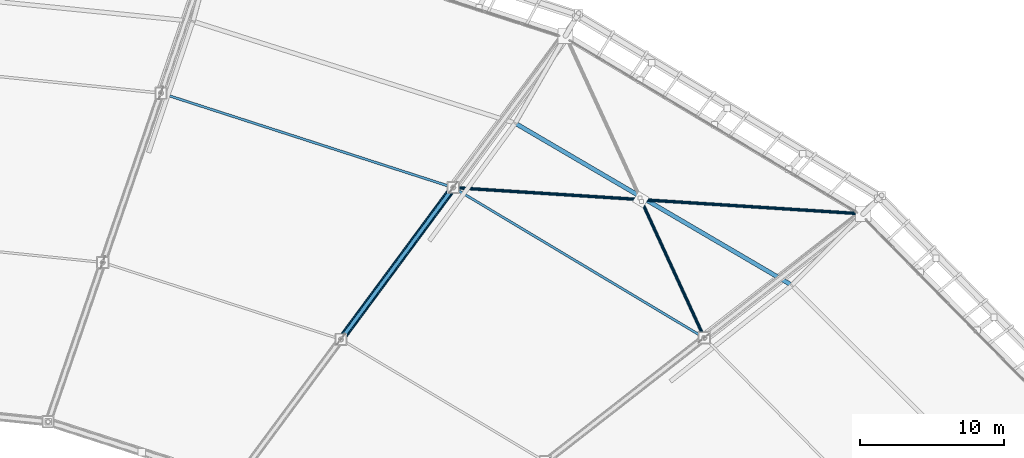
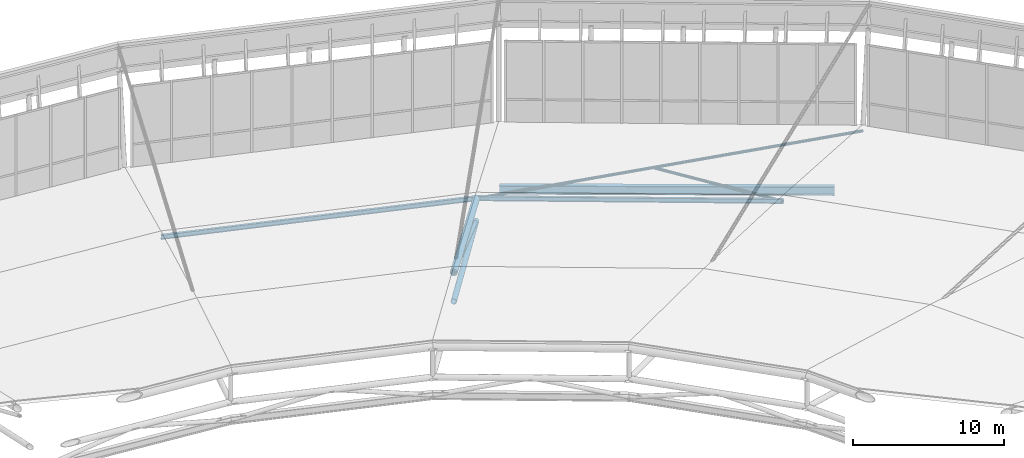
# One storey, part 74 of 115: 7 members, 1 beam.
"""IFC4 building model written with IfcOpenShell, lengths in metres."""

from ifc_helpers import new_model, si_unit, direction, frame, origin, origin_2d, place, context, subcontext, project, spatial, hollow_circle, i_section, extrude, material, material_profile, profile_set, type_object, element, save


model = new_model("IFC4")

# Units and contexts
model_context = context("Model", 3, precision=1e-05, world=origin(), true_north=direction((0.0, 1.0)))
body_context = subcontext(model_context, "Body", "Model", "MODEL_VIEW")
ifc_project = project(units=[si_unit("LENGTHUNIT", "METRE"), si_unit("AREAUNIT", "SQUARE_METRE"), si_unit("VOLUMEUNIT", "CUBIC_METRE"), si_unit("PLANEANGLEUNIT", "RADIAN"), si_unit("MASSUNIT", "GRAM", prefix="KILO")], contexts=[model_context])

# Site, building, storey
site_placement = place(None, origin())
site = spatial("IfcSite", under=ifc_project, at=site_placement, CompositionType="ELEMENT")
building_placement = place(site_placement, origin())
building = spatial("IfcBuilding", under=site, at=building_placement, Name="Zlatoyarsky Gate Stadium", CompositionType="ELEMENT")
storey_placement = place(building_placement, frame((0.0, 0.0, 31.800048828125)))
storey = spatial("IfcBuildingStorey", under=building, at=storey_placement, Name="RF", CompositionType="ELEMENT", Elevation=31.800048828125)

# Members
ifc_material = material(Name="Steel S355", Category="steel")
ifc_material_profile_1 = material_profile(ifc_material, hollow_circle(Radius=0.203125, WallThickness=0.02001953125, at=origin_2d()), Name="CHS 406.4X20")
ifc_profile_set_1 = profile_set([ifc_material_profile_1], Name="Steel S355")
member_type_1 = type_object("IfcMemberType", Name="STEEL ARCH INNER CHORD CHS 406.4X20", PredefinedType="CHORD", material=ifc_profile_set_1)
member_1_placement = place(storey_placement, frame((153.191650390625, 137.00537109375, 1.349853515625), z_axis=(-0.583615114034, -0.788517936062, 0.193991915245), x_axis=(0.80378738221, -0.594916669963, 0.0)))
element("IfcMember", 1, at=member_1_placement, inside=storey, type_object=member_type_1, Name="Radial truss R05 bottom chord 2", PredefinedType="CHORD", context=body_context, shape_type="SweptSolid", body=[
    extrude(hollow_circle(Radius=0.203125, WallThickness=0.02001953125, at=origin_2d()), origin(), (0.0, 0.0, 1.0), 13.403076171875),
])
ifc_material_profile_2 = material_profile(ifc_material, hollow_circle(Radius=0.25390625, WallThickness=0.02490234375, at=origin_2d()), Name="CHS 508X25")
ifc_profile_set_2 = profile_set([ifc_material_profile_2], Name="Steel S355")
member_type_2 = type_object("IfcMemberType", Name="STEEL ARCH TOP CHORD CHS 508X25", PredefinedType="CHORD", material=ifc_profile_set_2)
member_2_placement = place(storey_placement, frame((153.191650390625, 137.00537109375, 3.14990234375), z_axis=(-0.578544238692, -0.781666715004, 0.232988648934), x_axis=(0.80378738221, -0.594916669963, 0.0)))
element("IfcMember", 2, at=member_2_placement, inside=storey, type_object=member_type_2, Name="Radial truss R05 top chord 2", PredefinedType="CHORD", context=body_context, shape_type="SweptSolid", body=[
    extrude(hollow_circle(Radius=0.25390625, WallThickness=0.02490234375, at=origin_2d()), origin(), (0.0, 0.0, 1.0), 13.5205078125),
])
ifc_material_profile_3 = material_profile(ifc_material, hollow_circle(Radius=0.109619140625, WallThickness=0.012451171875, at=origin_2d()), Name="CHS 219.1X12.5")
ifc_profile_set_3 = profile_set([ifc_material_profile_3], Name="Steel S355")
member_type_3 = type_object("IfcMemberType", Name="STEEL CANOPY WIND BRACE CHS 219.1X12.5", PredefinedType="BRACE", material=ifc_profile_set_3)
member_3_placement = place(storey_placement, frame((181.730224609375, 135.173828125, -0.25), z_axis=(-0.990968055073, 0.063598151737, 0.118057566128), x_axis=(-0.064046041539, -0.997946944764, 0.0)))
element("IfcMember", 3, at=member_3_placement, inside=storey, type_object=member_type_3, Name="Roof wind X-brace continuous diagonal 03", PredefinedType="BRACE", context=body_context, shape_type="SweptSolid", body=[
    extrude(hollow_circle(Radius=0.109619140625, WallThickness=0.012451171875, at=origin_2d()), origin(), (0.0, 0.0, 1.0), 28.798583984375),
])
member_4_placement = place(storey_placement, frame((166.306640625, 136.044921875, 1.614013671875), z_axis=(0.412780345221, -0.899155932243, 0.145365044323), x_axis=(0.908809222509, 0.417211933053, 0.0)))
element("IfcMember", 4, at=member_4_placement, inside=storey, type_object=member_type_3, Name="Roof wind X-brace split half-diagonal 03B", PredefinedType="BRACE", context=body_context, shape_type="SweptSolid", body=[
    extrude(hollow_circle(Radius=0.109619140625, WallThickness=0.012451171875, at=origin_2d()), origin(), (0.0, 0.0, 1.0), 10.565673828125),
])
ifc_material_profile_4 = material_profile(ifc_material, i_section(OverallWidth=0.169921875, OverallDepth=0.360107421875, WebThickness=0.008056640625, FlangeThickness=0.0126953125, FilletRadius=0.01806640625, at=origin_2d()), Name="IPE 360")
ifc_profile_set_4 = profile_set([ifc_material_profile_4], Name="Steel S355")
member_type_4 = type_object("IfcMemberType", Name="STEEL LONG SPAN PURLIN IPE 360", PredefinedType="PURLIN", material=ifc_profile_set_4)
member_5_placement = place(storey_placement, frame((170.66796875, 126.544677734375, 3.179931640625), z_axis=(-0.858036074152, 0.513589423036, 0.0), x_axis=(-0.513589423036, -0.858036074152, 0.0)))
element("IfcMember", 5, at=member_5_placement, inside=storey, type_object=member_type_4, Name="Stadium roof purlin 03.1", PredefinedType="PURLIN", context=body_context, shape_type="SweptSolid", body=[
    extrude(i_section(OverallWidth=0.169921875, OverallDepth=0.360107421875, WebThickness=0.008056640625, FlangeThickness=0.0126953125, FilletRadius=0.01806640625, at=origin_2d()), origin(), (0.0, 0.0, 1.0), 20.367919921875),
])
member_6_placement = place(storey_placement, frame((153.191650390625, 137.00537109375, 3.179931640625), z_axis=(-0.951559496613, 0.3074646718, 0.0), x_axis=(-0.3074646718, -0.951559496613, 0.0)))
element("IfcMember", 6, at=member_6_placement, inside=storey, type_object=member_type_4, Name="Stadium roof purlin 04.1", PredefinedType="PURLIN", context=body_context, shape_type="SweptSolid", body=[
    extrude(i_section(OverallWidth=0.169921875, OverallDepth=0.360107421875, WebThickness=0.008056640625, FlangeThickness=0.0126953125, FilletRadius=0.01806640625, at=origin_2d()), origin(), (0.0, 0.0, 1.0), 21.3876953125),
])

# Beam
ifc_material_profile_5 = material_profile(ifc_material, i_section(OverallWidth=0.300048828125, OverallDepth=0.699951171875, WebThickness=0.01708984375, FlangeThickness=0.031982421875, FilletRadius=0.027099609375, at=origin_2d()), Name="HEB 700")
ifc_profile_set_5 = profile_set([ifc_material_profile_5], Name="Steel S355")
beam_type = type_object("IfcBeamType", Name="STEEL ROOF RING GIRDER HEB 700", PredefinedType="BEAM", material=ifc_profile_set_5)
beam_placement = place(storey_placement, frame((176.726318359375, 130.224853515625, -0.300048828125), z_axis=(-0.862849851446, 0.505460318778, 0.0), x_axis=(-0.505460318778, -0.862849851446, 0.0)))
element("IfcBeam", 7, at=beam_placement, inside=storey, type_object=beam_type, Name="RF roof tie girder BM-RF-CRC-03", PredefinedType="BEAM", context=body_context, shape_type="SweptSolid", body=[
    extrude(i_section(OverallWidth=0.300048828125, OverallDepth=0.699951171875, WebThickness=0.01708984375, FlangeThickness=0.031982421875, FilletRadius=0.027099609375, at=origin_2d()), origin(), (0.0, 0.0, 1.0), 22.242431640625),
])

# Member
ifc_material_profile_6 = material_profile(ifc_material, hollow_circle(Radius=0.136474609375, WallThickness=0.01611328125, at=origin_2d()), Name="CHS 273X16")
ifc_profile_set_6 = profile_set([ifc_material_profile_6], Name="Steel S355")
member_type_5 = type_object("IfcMemberType", Name="STEEL ROOF TRUSS DIAGONAL CHS 273X16", PredefinedType="BRACE", material=ifc_profile_set_6)
member_7_placement = place(storey_placement, frame((153.191650390625, 137.00537109375, 1.349853515625), z_axis=(-0.55676582184, -0.752242061849, 0.352340318465), x_axis=(0.80378738221, -0.594916669963, 0.0)))
element("IfcMember", 8, at=member_7_placement, inside=storey, type_object=member_type_5, Name="Radial truss R05 web diagonal 2", PredefinedType="BRACE", context=body_context, shape_type="SweptSolid", body=[
    extrude(hollow_circle(Radius=0.136474609375, WallThickness=0.01611328125, at=origin_2d()), origin(), (0.0, 0.0, 1.0), 14.049560546875),
])

save(model, "model.ifc")
